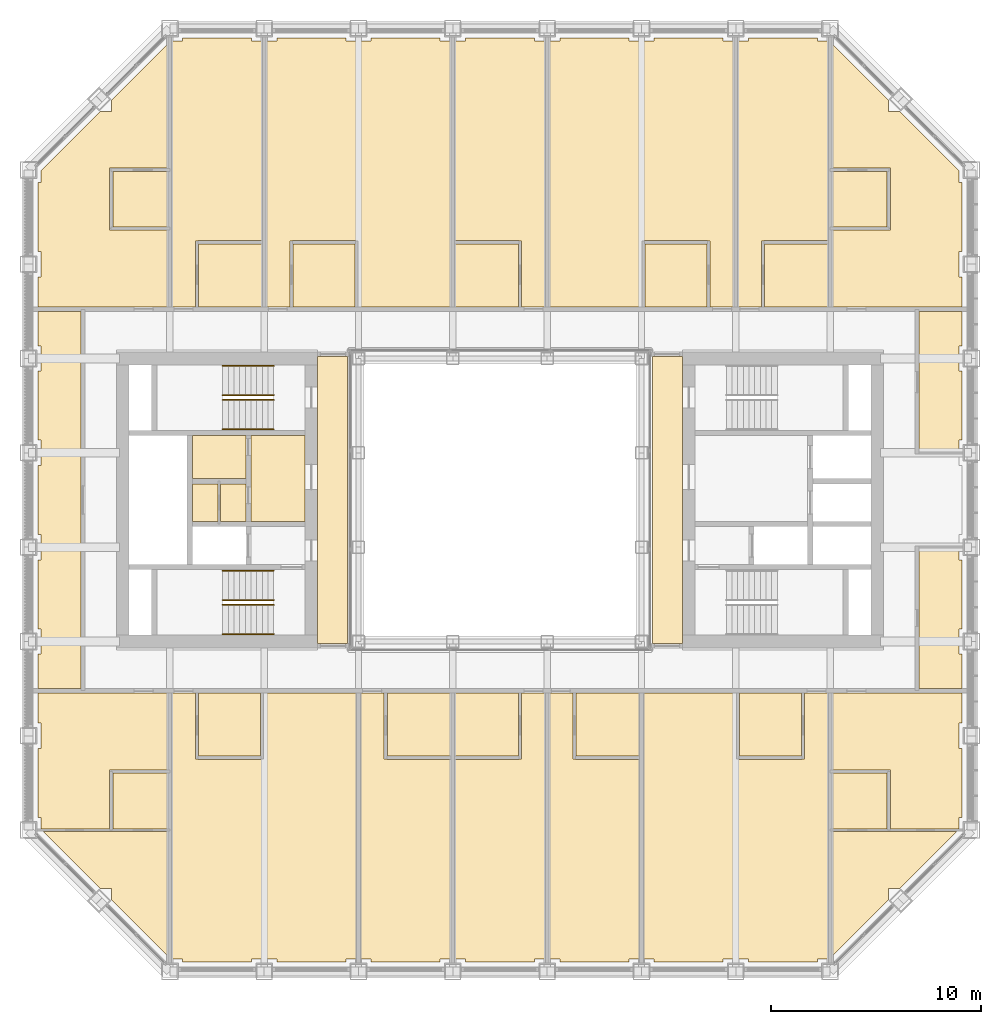
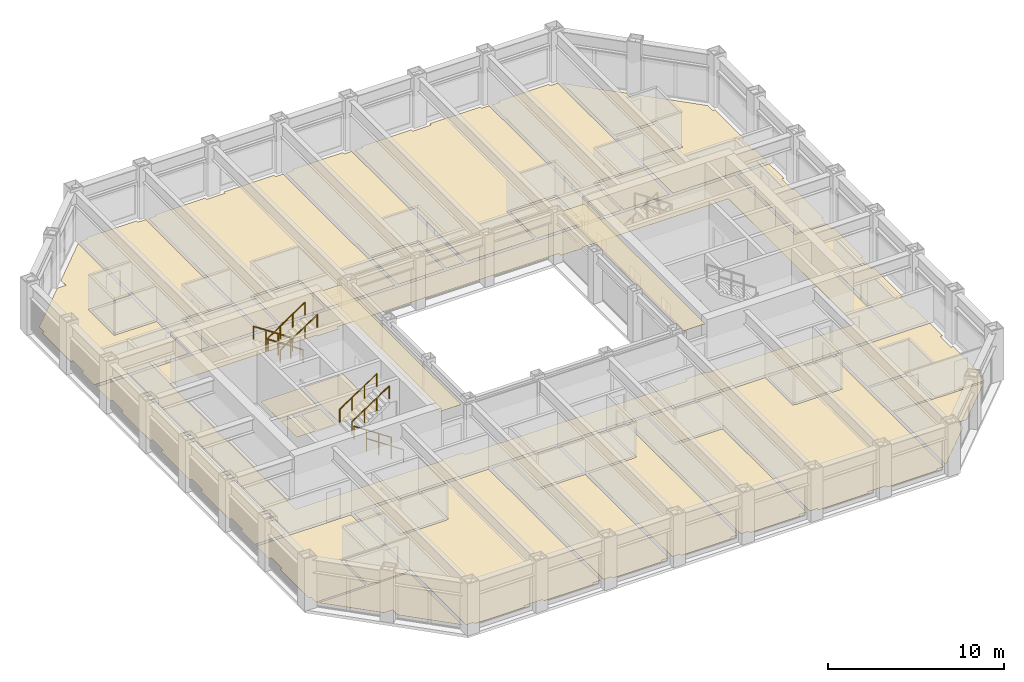
# One storey, part 15 of 17: 8 railings, 5 coverings.
"""IFC4 building model written with IfcOpenShell, lengths in metres."""

from ifc_helpers import new_model, si_unit, direction, frame, origin, origin_2d, place, context, subcontext, project, spatial, line, indexed_curve, circle, outline, extrude, material, layer, layer_set, type_object, element, save


model = new_model("IFC4")

# Units and contexts
model_context = context("Model", 3, precision=1e-05, world=origin(), true_north=direction((0.0, 1.0)))
body_context = subcontext(model_context, "Body", "Model", "MODEL_VIEW")
ifc_project = project(units=[si_unit("LENGTHUNIT", "METRE"), si_unit("AREAUNIT", "SQUARE_METRE"), si_unit("VOLUMEUNIT", "CUBIC_METRE"), si_unit("PLANEANGLEUNIT", "RADIAN"), si_unit("MASSUNIT", "GRAM", prefix="KILO")], contexts=[model_context])

# Site, building, storey
site_placement = place(None, origin())
site = spatial("IfcSite", under=ifc_project, at=site_placement, CompositionType="ELEMENT")
building_placement = place(site_placement, origin())
building = spatial("IfcBuilding", under=site, at=building_placement, Name="Msasa Ring Tower", CompositionType="ELEMENT")
storey_placement = place(building_placement, frame((0.0, 0.0, 158.0)))
storey = spatial("IfcBuildingStorey", under=building, at=storey_placement, Name="L41", CompositionType="ELEMENT", Elevation=158.0)

# Coverings
ifc_material_1 = material(Name="Gypsum plasterboard on a steel suspension grid", Category="steel")
ifc_layer_1 = layer(ifc_material_1, 0.014892578125)
ifc_layer_set_1 = layer_set([ifc_layer_1], Name="C1 SUSPENDED PLASTERBOARD CEILING 15")
covering_type_1 = type_object("IfcCoveringType", Name="C1 SUSPENDED PLASTERBOARD CEILING 15", PredefinedType="CEILING", material=ifc_layer_set_1)
covering_1_placement = place(storey_placement, frame((0.0, 0.0, 3.199951171875)))
element("IfcCovering", 1, at=covering_1_placement, inside=storey, type_object=covering_type_1, Name="Suspended Plasterboard Ceiling 15 public rooms L41", PredefinedType="CEILING", context=body_context, shape_type="SweptSolid", body=[
    extrude(outline(indexed_curve([(-7.280029296875, 6.849609375), (-7.280029296875, -6.849609375), (-8.699462890625, -6.849609375), (-8.699462890625, 6.849609375)], segments=[line(1, 2, 3, 4, 1)], self_intersect=False)), origin(), (0.0, 0.0, 1.0), 0.01513671875),
    extrude(outline(indexed_curve([(8.699462890625, 6.849609375), (8.699462890625, -6.849609375), (7.280029296875, -6.849609375), (7.280029296875, 6.849609375)], segments=[line(1, 2, 3, 4, 1)], self_intersect=False)), origin(), (0.0, 0.0, 1.0), 0.01513671875),
])
ifc_material_2 = material(Name="Wool-blend carpet on felt underlay", Category="textile")
ifc_layer_2 = layer(ifc_material_2, 0.011962890625)
ifc_layer_set_2 = layer_set([ifc_layer_2], Name="F2 CARPET ON UNDERLAY 12")
covering_type_2 = type_object("IfcCoveringType", Name="F2 CARPET ON UNDERLAY 12", PredefinedType="FLOORING", material=ifc_layer_set_2)
covering_2_placement = place(storey_placement, origin())
element("IfcCovering", 2, at=covering_2_placement, inside=storey, type_object=covering_type_2, Name="Carpet On Underlay 12 L41", PredefinedType="FLOORING", context=body_context, shape_type="SweptSolid", body=[
    extrude(outline(indexed_curve([(-22.049560546875, -11.8505859375), (-21.8994140625, -11.8505859375), (-21.8994140625, -10.6494140625), (-22.049560546875, -10.6494140625), (-22.049560546875, -9.200439453125), (-15.8505859375, -9.200439453125), (-15.8505859375, -12.869384765625), (-18.630615234375, -12.869384765625), (-18.630615234375, -15.694580078125), (-21.8994140625, -15.694580078125), (-21.8994140625, -15.1494140625), (-22.049560546875, -15.1494140625)], segments=[line(1, 2, 3, 4, 5, 6, 7, 8, 9, 10, 11, 12, 1)], self_intersect=False)), origin(), (0.0, 0.0, 1.0), 0.011962890625),
    extrude(outline(indexed_curve([(-18.5244140625, -19.08837890625), (-18.5244140625, -18.5244140625), (-19.08837890625, -18.5244140625), (-21.807373046875, -15.805419921875), (-15.8505859375, -15.805419921875), (-15.8505859375, -21.762451171875)], segments=[line(1, 2, 3, 4, 5, 6, 1)], self_intersect=False)), origin(), (0.0, 0.0, 1.0), 0.011962890625),
    extrude(outline(indexed_curve([(19.799560546875, -2.199951171875), (19.799560546875, -8.99951171875), (-19.799560546875, -8.99951171875), (-19.799560546875, 8.99951171875), (19.799560546875, 8.99951171875), (19.799560546875, 2.199462890625), (21.8994140625, 2.199462890625), (21.8994140625, 1.6494140625), (22.049560546875, 1.6494140625), (22.049560546875, -1.6494140625), (21.8994140625, -1.6494140625), (21.8994140625, -2.199462890625)], segments=[line(1, 2, 3, 4, 5, 6, 7, 8, 9, 10, 11, 12, 1)], self_intersect=False), holes=[indexed_curve([(18.300537109375, -7.150390625), (18.300537109375, 7.150390625), (8.699462890625, 7.150390625), (8.699462890625, 7.050537109375), (7.280029296875, 7.050537109375), (7.280517578125, 7.23046875), (7.22998046875, 7.23046875), (7.22998046875, 7.280029296875), (-7.22998046875, 7.280029296875), (-7.22998046875, 7.23046875), (-7.280517578125, 7.23046875), (-7.280029296875, 7.050537109375), (-8.699462890625, 7.050537109375), (-8.699462890625, 7.150390625), (-18.300537109375, 7.150390625), (-18.300537109375, -7.150390625), (-8.699462890625, -7.150390625), (-8.699462890625, -7.050537109375), (-7.280029296875, -7.050537109375), (-7.280517578125, -7.23046875), (-7.22998046875, -7.23046875), (-7.22998046875, -7.280029296875), (7.22998046875, -7.280029296875), (7.22998046875, -7.23046875), (7.280517578125, -7.23046875), (7.280029296875, -7.050537109375), (8.699462890625, -7.050537109375), (8.699462890625, -7.150390625)], segments=[line(1, 2, 3, 4, 5, 6, 7, 8, 9, 10, 11, 12, 13, 14, 15, 16, 17, 18, 19, 20, 21, 22, 23, 24, 25, 26, 27, 28, 1)], self_intersect=False)]), origin(), (0.0, 0.0, 1.0), 0.011962890625),
    extrude(outline(indexed_curve([(-15.6494140625, 9.200439453125), (-15.6494140625, 21.8994140625), (-15.1494140625, 21.8994140625), (-15.1494140625, 22.049560546875), (-11.8505859375, 22.049560546875), (-11.8505859375, 21.8994140625), (-11.3505859375, 21.8994140625), (-11.3505859375, 12.37548828125), (-14.39990234375, 12.37548828125), (-14.39990234375, 12.3505859375), (-14.525390625, 12.35009765625), (-14.525390625, 9.200439453125)], segments=[line(1, 2, 3, 4, 5, 6, 7, 8, 9, 10, 11, 12, 1)], self_intersect=False)), origin(), (0.0, 0.0, 1.0), 0.011962890625),
    extrude(outline(indexed_curve([(-14.674560546875, 0.7744140625), (-13.45556640625, 0.7744140625), (-13.45556640625, -1.0244140625), (-14.674560546875, -1.0244140625)], segments=[line(1, 2, 3, 4, 1)], self_intersect=False)), origin(), (0.0, 0.0, 1.0), 0.011962890625),
    extrude(outline(indexed_curve([(-6.6494140625, -9.200439453125), (-5.525390625, -9.200439453125), (-5.525390625, -12.35009765625), (-5.39990234375, -12.3505859375), (-5.39990234375, -12.37548828125), (-2.3505859375, -12.37548828125), (-2.3505859375, -21.8994140625), (-2.8505859375, -21.8994140625), (-2.8505859375, -22.049560546875), (-6.1494140625, -22.049560546875), (-6.1494140625, -21.8994140625), (-6.6494140625, -21.8994140625)], segments=[line(1, 2, 3, 4, 5, 6, 7, 8, 9, 10, 11, 12, 1)], self_intersect=False)), origin(), (0.0, 0.0, 1.0), 0.011962890625),
    extrude(outline(indexed_curve([(2.1494140625, -21.8994140625), (1.6494140625, -21.8994140625), (1.6494140625, -22.049560546875), (-1.6494140625, -22.049560546875), (-1.6494140625, -21.8994140625), (-2.1494140625, -21.8994140625), (-2.1494140625, -12.37548828125), (0.89990234375, -12.37548828125), (0.89990234375, -12.3505859375), (1.025390625, -12.35009765625), (1.025390625, -9.200439453125), (2.1494140625, -9.200439453125)], segments=[line(1, 2, 3, 4, 5, 6, 7, 8, 9, 10, 11, 12, 1)], self_intersect=False)), origin(), (0.0, 0.0, 1.0), 0.011962890625),
    extrude(outline(indexed_curve([(2.1494140625, 9.200439453125), (1.025390625, 9.200439453125), (1.025390625, 12.35009765625), (0.89990234375, 12.3505859375), (0.89990234375, 12.37548828125), (-2.1494140625, 12.37548828125), (-2.1494140625, 21.8994140625), (-1.6494140625, 21.8994140625), (-1.6494140625, 22.049560546875), (1.6494140625, 22.049560546875), (1.6494140625, 21.8994140625), (2.1494140625, 21.8994140625)], segments=[line(1, 2, 3, 4, 5, 6, 7, 8, 9, 10, 11, 12, 1)], self_intersect=False)), origin(), (0.0, 0.0, 1.0), 0.011962890625),
    extrude(outline(indexed_curve([(2.3505859375, -9.200439453125), (3.474609375, -9.200439453125), (3.474609375, -12.35009765625), (3.60009765625, -12.3505859375), (3.60009765625, -12.37548828125), (6.6494140625, -12.37548828125), (6.6494140625, -21.8994140625), (6.1494140625, -21.8994140625), (6.1494140625, -22.049560546875), (2.8505859375, -22.049560546875), (2.8505859375, -21.8994140625), (2.3505859375, -21.8994140625)], segments=[line(1, 2, 3, 4, 5, 6, 7, 8, 9, 10, 11, 12, 1)], self_intersect=False)), origin(), (0.0, 0.0, 1.0), 0.011962890625),
    extrude(outline(indexed_curve([(11.3505859375, 9.200439453125), (11.3505859375, 21.8994140625), (11.8505859375, 21.8994140625), (11.8505859375, 22.049560546875), (15.1494140625, 22.049560546875), (15.1494140625, 21.8994140625), (15.6494140625, 21.8994140625), (15.6494140625, 12.37548828125), (12.60009765625, 12.37548828125), (12.60009765625, 12.3505859375), (12.474609375, 12.35009765625), (12.474609375, 9.200439453125)], segments=[line(1, 2, 3, 4, 5, 6, 7, 8, 9, 10, 11, 12, 1)], self_intersect=False)), origin(), (0.0, 0.0, 1.0), 0.011962890625),
    extrude(outline(indexed_curve([(19.08837890625, -18.5244140625), (18.5244140625, -18.5244140625), (18.5244140625, -19.08837890625), (15.8505859375, -21.762451171875), (15.8505859375, -15.805419921875), (21.807373046875, -15.805419921875)], segments=[line(1, 2, 3, 4, 5, 6, 1)], self_intersect=False)), origin(), (0.0, 0.0, 1.0), 0.011962890625),
    extrude(outline(indexed_curve([(15.8505859375, -12.869384765625), (15.8505859375, -9.200439453125), (22.049560546875, -9.200439453125), (22.049560546875, -10.6494140625), (21.8994140625, -10.6494140625), (21.8994140625, -11.8505859375), (22.049560546875, -11.8505859375), (22.049560546875, -15.1494140625), (21.8994140625, -15.1494140625), (21.8994140625, -15.694580078125), (18.630615234375, -15.694580078125), (18.630615234375, -12.869384765625)], segments=[line(1, 2, 3, 4, 5, 6, 7, 8, 9, 10, 11, 12, 1)], self_intersect=False)), origin(), (0.0, 0.0, 1.0), 0.011962890625),
])
ifc_material_3 = material(Name="Engineered oak boards on an acoustic underlay", Category="wood")
ifc_layer_3 = layer(ifc_material_3, 0.01806640625)
ifc_layer_set_3 = layer_set([ifc_layer_3], Name="F3 ENGINEERED TIMBER ON ACOUSTIC UNDERLAY 18")
covering_type_3 = type_object("IfcCoveringType", Name="F3 ENGINEERED TIMBER ON ACOUSTIC UNDERLAY 18", PredefinedType="FLOORING", material=ifc_layer_set_3)
covering_3_placement = place(storey_placement, origin())
element("IfcCovering", 3, at=covering_3_placement, inside=storey, type_object=covering_type_3, Name="Engineered Timber On Acoustic Underlay 18 L41", PredefinedType="FLOORING", context=body_context, shape_type="SweptSolid", body=[
    extrude(outline(indexed_curve([(-18.630615234375, 12.869384765625), (-15.8505859375, 12.869384765625), (-15.8505859375, 9.200439453125), (-22.049560546875, 9.200439453125), (-22.049560546875, 10.6494140625), (-21.8994140625, 10.6494140625), (-21.8994140625, 11.8505859375), (-22.049560546875, 11.8505859375), (-22.049560546875, 15.1494140625), (-21.8994140625, 15.1494140625), (-21.8994140625, 15.71337890625), (-19.08837890625, 18.5244140625), (-18.5244140625, 18.5244140625), (-18.5244140625, 19.08837890625), (-15.8505859375, 21.762451171875), (-15.8505859375, 15.83056640625), (-18.630615234375, 15.83056640625)], segments=[line(1, 2, 3, 4, 5, 6, 7, 8, 9, 10, 11, 12, 13, 14, 15, 16, 17, 1)], self_intersect=False)), origin(), (0.0, 0.0, 1.0), 0.01806640625),
    extrude(outline(indexed_curve([(-14.525390625, -9.200439453125), (-14.525390625, -12.35009765625), (-14.39990234375, -12.3505859375), (-14.39990234375, -12.37548828125), (-11.39990234375, -12.37548828125), (-11.39990234375, -12.3505859375), (-11.2744140625, -12.35009765625), (-11.2744140625, -9.200439453125), (-6.8505859375, -9.200439453125), (-6.8505859375, -21.8994140625), (-7.3505859375, -21.8994140625), (-7.3505859375, -22.049560546875), (-10.6494140625, -22.049560546875), (-10.6494140625, -21.8994140625), (-11.8505859375, -21.8994140625), (-11.8505859375, -22.049560546875), (-15.1494140625, -22.049560546875), (-15.1494140625, -21.8994140625), (-15.6494140625, -21.8994140625), (-15.6494140625, -9.200439453125)], segments=[line(1, 2, 3, 4, 5, 6, 7, 8, 9, 10, 11, 12, 13, 14, 15, 16, 17, 18, 19, 20, 1)], self_intersect=False)), origin(), (0.0, 0.0, 1.0), 0.01806640625),
    extrude(outline(indexed_curve([(-6.89990234375, 12.3505859375), (-6.89990234375, 12.37548828125), (-9.89990234375, 12.37548828125), (-9.89990234375, 12.3505859375), (-10.025390625, 12.35009765625), (-10.025390625, 9.200439453125), (-11.1494140625, 9.200439453125), (-11.1494140625, 21.8994140625), (-10.6494140625, 21.8994140625), (-10.6494140625, 22.049560546875), (-7.3505859375, 22.049560546875), (-7.3505859375, 21.8994140625), (-6.1494140625, 21.8994140625), (-6.1494140625, 22.049560546875), (-2.8505859375, 22.049560546875), (-2.8505859375, 21.8994140625), (-2.3505859375, 21.8994140625), (-2.3505859375, 9.200439453125), (-6.7744140625, 9.200439453125), (-6.7744140625, 12.35009765625)], segments=[line(1, 2, 3, 4, 5, 6, 7, 8, 9, 10, 11, 12, 13, 14, 15, 16, 17, 18, 19, 20, 1)], self_intersect=False)), origin(), (0.0, 0.0, 1.0), 0.01806640625),
    extrude(outline(indexed_curve([(9.89990234375, 12.3505859375), (9.89990234375, 12.37548828125), (6.89990234375, 12.37548828125), (6.89990234375, 12.3505859375), (6.7744140625, 12.35009765625), (6.7744140625, 9.200439453125), (2.3505859375, 9.200439453125), (2.3505859375, 21.8994140625), (2.8505859375, 21.8994140625), (2.8505859375, 22.049560546875), (6.1494140625, 22.049560546875), (6.1494140625, 21.8994140625), (7.3505859375, 21.8994140625), (7.3505859375, 22.049560546875), (10.6494140625, 22.049560546875), (10.6494140625, 21.8994140625), (11.1494140625, 21.8994140625), (11.1494140625, 9.200439453125), (10.025390625, 9.200439453125), (10.025390625, 12.35009765625)], segments=[line(1, 2, 3, 4, 5, 6, 7, 8, 9, 10, 11, 12, 13, 14, 15, 16, 17, 18, 19, 20, 1)], self_intersect=False)), origin(), (0.0, 0.0, 1.0), 0.01806640625),
    extrude(outline(indexed_curve([(11.2744140625, -12.35009765625), (11.39990234375, -12.3505859375), (11.39990234375, -12.37548828125), (14.39990234375, -12.37548828125), (14.39990234375, -12.3505859375), (14.525390625, -12.35009765625), (14.525390625, -9.200439453125), (15.6494140625, -9.200439453125), (15.6494140625, -21.8994140625), (15.1494140625, -21.8994140625), (15.1494140625, -22.049560546875), (11.8505859375, -22.049560546875), (11.8505859375, -21.8994140625), (10.6494140625, -21.8994140625), (10.6494140625, -22.049560546875), (7.3505859375, -22.049560546875), (7.3505859375, -21.8994140625), (6.8505859375, -21.8994140625), (6.8505859375, -9.200439453125), (11.2744140625, -9.200439453125)], segments=[line(1, 2, 3, 4, 5, 6, 7, 8, 9, 10, 11, 12, 13, 14, 15, 16, 17, 18, 19, 20, 1)], self_intersect=False)), origin(), (0.0, 0.0, 1.0), 0.01806640625),
    extrude(outline(indexed_curve([(15.8505859375, 15.83056640625), (15.8505859375, 21.762451171875), (18.5244140625, 19.08837890625), (18.5244140625, 18.5244140625), (19.08837890625, 18.5244140625), (21.8994140625, 15.71337890625), (21.8994140625, 15.1494140625), (22.049560546875, 15.1494140625), (22.049560546875, 11.8505859375), (21.8994140625, 11.8505859375), (21.8994140625, 10.6494140625), (22.049560546875, 10.6494140625), (22.049560546875, 9.200439453125), (15.8505859375, 9.200439453125), (15.8505859375, 12.869384765625), (18.630615234375, 12.869384765625), (18.630615234375, 15.83056640625)], segments=[line(1, 2, 3, 4, 5, 6, 7, 8, 9, 10, 11, 12, 13, 14, 15, 16, 17, 1)], self_intersect=False)), origin(), (0.0, 0.0, 1.0), 0.01806640625),
])
ifc_material_4 = material(Name="Porcelain floor tiles in adhesive", Category="ceramic")
ifc_layer_4 = layer(ifc_material_4, 0.010009765625)
ifc_layer_set_4 = layer_set([ifc_layer_4], Name="F4 PORCELAIN TILE ON ADHESIVE 10")
covering_type_4 = type_object("IfcCoveringType", Name="F4 PORCELAIN TILE ON ADHESIVE 10", PredefinedType="FLOORING", material=ifc_layer_set_4)
covering_4_placement = place(storey_placement, origin())
element("IfcCovering", 4, at=covering_4_placement, inside=storey, type_object=covering_type_4, Name="Porcelain Tile On Adhesive 10 L41", PredefinedType="FLOORING", context=body_context, shape_type="SweptSolid", body=[
    extrude(outline(indexed_curve([(-18.469482421875, -13.030517578125), (-15.8505859375, -13.030517578125), (-15.8505859375, -15.694580078125), (-18.469482421875, -15.694580078125)], segments=[line(1, 2, 3, 4, 1)], self_intersect=False)), origin(), (0.0, 0.0, 1.0), 0.010009765625),
    extrude(outline(indexed_curve([(-15.8505859375, 15.66943359375), (-15.8505859375, 13.030517578125), (-18.469482421875, 13.030517578125), (-18.469482421875, 15.66943359375)], segments=[line(1, 2, 3, 4, 1)], self_intersect=False)), origin(), (0.0, 0.0, 1.0), 0.010009765625),
    extrude(outline(indexed_curve([(-11.425537109375, -9.200439453125), (-11.425537109375, -12.224609375), (-14.37451171875, -12.224609375), (-14.37451171875, -9.200439453125)], segments=[line(1, 2, 3, 4, 1)], self_intersect=False)), origin(), (0.0, 0.0, 1.0), 0.010009765625),
    extrude(outline(indexed_curve([(-11.3505859375, 9.200439453125), (-14.37451171875, 9.200439453125), (-14.37451171875, 12.224609375), (-11.3505859375, 12.224609375)], segments=[line(1, 2, 3, 4, 1)], self_intersect=False)), origin(), (0.0, 0.0, 1.0), 0.010009765625),
    extrude(outline(indexed_curve([(-9.87451171875, 9.200439453125), (-9.87451171875, 12.224609375), (-6.925537109375, 12.224609375), (-6.925537109375, 9.200439453125)], segments=[line(1, 2, 3, 4, 1)], self_intersect=False)), origin(), (0.0, 0.0, 1.0), 0.010009765625),
    extrude(outline(indexed_curve([(-2.3505859375, -9.200439453125), (-2.3505859375, -12.224609375), (-5.37451171875, -12.224609375), (-5.37451171875, -9.200439453125)], segments=[line(1, 2, 3, 4, 1)], self_intersect=False)), origin(), (0.0, 0.0, 1.0), 0.010009765625),
    extrude(outline(indexed_curve([(0.87451171875, -9.200439453125), (0.87451171875, -12.224609375), (-2.1494140625, -12.224609375), (-2.1494140625, -9.200439453125)], segments=[line(1, 2, 3, 4, 1)], self_intersect=False)), origin(), (0.0, 0.0, 1.0), 0.010009765625),
    extrude(outline(indexed_curve([(-2.1494140625, 9.200439453125), (-2.1494140625, 12.224609375), (0.87451171875, 12.224609375), (0.87451171875, 9.200439453125)], segments=[line(1, 2, 3, 4, 1)], self_intersect=False)), origin(), (0.0, 0.0, 1.0), 0.010009765625),
    extrude(outline(indexed_curve([(6.6494140625, -9.200439453125), (6.6494140625, -12.224609375), (3.62548828125, -12.224609375), (3.62548828125, -9.200439453125)], segments=[line(1, 2, 3, 4, 1)], self_intersect=False)), origin(), (0.0, 0.0, 1.0), 0.010009765625),
    extrude(outline(indexed_curve([(6.925537109375, 9.200439453125), (6.925537109375, 12.224609375), (9.87451171875, 12.224609375), (9.87451171875, 9.200439453125)], segments=[line(1, 2, 3, 4, 1)], self_intersect=False)), origin(), (0.0, 0.0, 1.0), 0.010009765625),
    extrude(outline(indexed_curve([(14.37451171875, -9.200439453125), (14.37451171875, -12.224609375), (11.425537109375, -12.224609375), (11.425537109375, -9.200439453125)], segments=[line(1, 2, 3, 4, 1)], self_intersect=False)), origin(), (0.0, 0.0, 1.0), 0.010009765625),
    extrude(outline(indexed_curve([(15.6494140625, 9.200439453125), (12.62548828125, 9.200439453125), (12.62548828125, 12.224609375), (15.6494140625, 12.224609375)], segments=[line(1, 2, 3, 4, 1)], self_intersect=False)), origin(), (0.0, 0.0, 1.0), 0.010009765625),
    extrude(outline(indexed_curve([(15.8505859375, -13.030517578125), (18.469482421875, -13.030517578125), (18.469482421875, -15.694580078125), (15.8505859375, -15.694580078125)], segments=[line(1, 2, 3, 4, 1)], self_intersect=False)), origin(), (0.0, 0.0, 1.0), 0.010009765625),
    extrude(outline(indexed_curve([(18.469482421875, 15.66943359375), (18.469482421875, 13.030517578125), (15.8505859375, 13.030517578125), (15.8505859375, 15.66943359375)], segments=[line(1, 2, 3, 4, 1)], self_intersect=False)), origin(), (0.0, 0.0, 1.0), 0.010009765625),
])
ifc_material_5 = material(Name="Welded vinyl safety sheet flooring", Category="vinyl")
ifc_layer_5 = layer(ifc_material_5, 0.0029296875)
ifc_layer_set_5 = layer_set([ifc_layer_5], Name="F5 RESILIENT SHEET FLOORING 3")
covering_type_5 = type_object("IfcCoveringType", Name="F5 RESILIENT SHEET FLOORING 3", PredefinedType="FLOORING", material=ifc_layer_set_5)
covering_5_placement = place(storey_placement, origin())
element("IfcCovering", 5, at=covering_5_placement, inside=storey, type_object=covering_type_5, Name="Resilient Sheet Flooring 3 L41", PredefinedType="FLOORING", context=body_context, shape_type="SweptSolid", body=[
    extrude(outline(indexed_curve([(-20.00048828125, -8.99951171875), (-22.049560546875, -8.99951171875), (-22.049560546875, -7.3505859375), (-21.8994140625, -7.3505859375), (-21.8994140625, -6.1494140625), (-22.049560546875, -6.1494140625), (-22.049560546875, -2.8505859375), (-21.8994140625, -2.8505859375), (-21.8994140625, -1.6494140625), (-22.049560546875, -1.6494140625), (-22.049560546875, 1.6494140625), (-21.8994140625, 1.6494140625), (-21.8994140625, 2.8505859375), (-22.049560546875, 2.8505859375), (-22.049560546875, 6.1494140625), (-21.8994140625, 6.1494140625), (-21.8994140625, 7.3505859375), (-22.049560546875, 7.3505859375), (-22.049560546875, 8.99951171875), (-20.00048828125, 8.99951171875)], segments=[line(1, 2, 3, 4, 5, 6, 7, 8, 9, 10, 11, 12, 13, 14, 15, 16, 17, 18, 19, 20, 1)], self_intersect=False)), origin(), (0.0, 0.0, 1.0), 0.0029296875),
    extrude(outline(indexed_curve([(-14.674560546875, 3.074462890625), (-12.12548828125, 3.074462890625), (-12.12548828125, 1.025390625), (-14.674560546875, 1.025390625)], segments=[line(1, 2, 3, 4, 1)], self_intersect=False)), origin(), (0.0, 0.0, 1.0), 0.0029296875),
    extrude(outline(indexed_curve([(-13.344482421875, 0.7744140625), (-12.12548828125, 0.7744140625), (-12.12548828125, -1.0244140625), (-13.344482421875, -1.0244140625)], segments=[line(1, 2, 3, 4, 1)], self_intersect=False)), origin(), (0.0, 0.0, 1.0), 0.0029296875),
    extrude(outline(indexed_curve([(-11.87451171875, -1.0244140625), (-11.87451171875, 3.074462890625), (-9.300537109375, 3.074462890625), (-9.300537109375, -1.0244140625)], segments=[line(1, 2, 3, 4, 1)], self_intersect=False)), origin(), (0.0, 0.0, 1.0), 0.0029296875),
    extrude(outline(indexed_curve([(22.049560546875, -6.1494140625), (21.8994140625, -6.1494140625), (21.8994140625, -7.3505859375), (22.049560546875, -7.3505859375), (22.049560546875, -8.99951171875), (20.00048828125, -8.99951171875), (20.00048828125, -2.305419921875), (21.8994140625, -2.305419921875), (21.8994140625, -2.8505859375), (22.049560546875, -2.8505859375)], segments=[line(1, 2, 3, 4, 5, 6, 7, 8, 9, 10, 1)], self_intersect=False)), origin(), (0.0, 0.0, 1.0), 0.0029296875),
    extrude(outline(indexed_curve([(20.00048828125, 2.305419921875), (20.00048828125, 8.99951171875), (22.049560546875, 8.99951171875), (22.049560546875, 7.3505859375), (21.8994140625, 7.3505859375), (21.8994140625, 6.1494140625), (22.049560546875, 6.1494140625), (22.049560546875, 2.8505859375), (21.8994140625, 2.8505859375), (21.8994140625, 2.305419921875)], segments=[line(1, 2, 3, 4, 5, 6, 7, 8, 9, 10, 1)], self_intersect=False)), origin(), (0.0, 0.0, 1.0), 0.0029296875),
])

# Railings
ifc_material_6 = material(Name="Stainless steel", Category="steel")
railing_type = type_object("IfcRailingType", Name="HR1 HANDRAIL 900", PredefinedType="HANDRAIL", material=ifc_material_6)
for number, where, name in (
    (6, (-10.800048828125, -6.39990234375, 0.179931640625), "Handrail stair SWA L41 1"),
    (7, (-10.800048828125, -5.0, 0.179931640625), "Handrail stair SWA L41 2"),
):
    element("IfcRailing", number, at=place(storey_placement, frame(where)), inside=storey, type_object=railing_type, Name=name, PredefinedType="HANDRAIL", context=body_context, shape_type="SweptSolid", body=[
        extrude(circle(Radius=0.02392578125, at=origin_2d()), frame((0.0, 0.0, 0.8759765625), z_axis=(-0.832024571796, 0.0, 0.554738778101), x_axis=(0.0, -1.0, 0.0)), (0.0, 0.0, 1.0), 2.92041015625),
        extrude(circle(Radius=0.02099609375, at=origin_2d()), origin(), (0.0, 0.0, 1.0), 0.851806640625),
        extrude(circle(Radius=0.02099609375, at=origin_2d()), frame((-0.81005859375, 0.0, 0.5400390625)), (0.0, 0.0, 1.0), 0.851806640625),
        extrude(circle(Radius=0.02099609375, at=origin_2d()), frame((-1.619873046875, 0.0, 1.080078125)), (0.0, 0.0, 1.0), 0.851806640625),
        extrude(circle(Radius=0.02099609375, at=origin_2d()), frame((-2.429931640625, 0.0, 1.6201171875)), (0.0, 0.0, 1.0), 0.851806640625),
    ])
for number, where, name in (
    (8, (-13.22998046875, -4.77490234375, 1.97998046875), "Handrail stair SWA L41 3"),
    (9, (-13.22998046875, -3.375, 1.97998046875), "Handrail stair SWA L41 4"),
):
    element("IfcRailing", number, at=place(storey_placement, frame(where)), inside=storey, type_object=railing_type, Name=name, PredefinedType="HANDRAIL", context=body_context, shape_type="SweptSolid", body=[
        extrude(circle(Radius=0.02392578125, at=origin_2d()), frame((0.0, 0.0, 0.8759765625), z_axis=(0.832024571796, 0.0, 0.554738778101), x_axis=(0.0, 1.0, 0.0)), (0.0, 0.0, 1.0), 2.92041015625),
        extrude(circle(Radius=0.02099609375, at=origin_2d()), origin(), (0.0, 0.0, 1.0), 0.851806640625),
        extrude(circle(Radius=0.02099609375, at=origin_2d()), frame((0.81005859375, 0.0, 0.5400390625)), (0.0, 0.0, 1.0), 0.851806640625),
        extrude(circle(Radius=0.02099609375, at=origin_2d()), frame((1.619873046875, 0.0, 1.080078125)), (0.0, 0.0, 1.0), 0.851806640625),
        extrude(circle(Radius=0.02099609375, at=origin_2d()), frame((2.429931640625, 0.0, 1.6201171875)), (0.0, 0.0, 1.0), 0.851806640625),
    ])
for number, where, name in (
    (10, (-10.800048828125, 5.0, 0.179931640625), "Handrail stair SWB L41 1"),
    (11, (-10.800048828125, 6.39990234375, 0.179931640625), "Handrail stair SWB L41 2"),
):
    element("IfcRailing", number, at=place(storey_placement, frame(where)), inside=storey, type_object=railing_type, Name=name, PredefinedType="HANDRAIL", context=body_context, shape_type="SweptSolid", body=[
        extrude(circle(Radius=0.02392578125, at=origin_2d()), frame((0.0, 0.0, 0.8759765625), z_axis=(-0.832024571796, 0.0, 0.554738778101), x_axis=(0.0, -1.0, 0.0)), (0.0, 0.0, 1.0), 2.92041015625),
        extrude(circle(Radius=0.02099609375, at=origin_2d()), origin(), (0.0, 0.0, 1.0), 0.851806640625),
        extrude(circle(Radius=0.02099609375, at=origin_2d()), frame((-0.81005859375, 0.0, 0.5400390625)), (0.0, 0.0, 1.0), 0.851806640625),
        extrude(circle(Radius=0.02099609375, at=origin_2d()), frame((-1.619873046875, 0.0, 1.080078125)), (0.0, 0.0, 1.0), 0.851806640625),
        extrude(circle(Radius=0.02099609375, at=origin_2d()), frame((-2.429931640625, 0.0, 1.6201171875)), (0.0, 0.0, 1.0), 0.851806640625),
    ])
for number, where, name in (
    (12, (-13.22998046875, 3.375, 1.97998046875), "Handrail stair SWB L41 3"),
    (13, (-13.22998046875, 4.77490234375, 1.97998046875), "Handrail stair SWB L41 4"),
):
    element("IfcRailing", number, at=place(storey_placement, frame(where)), inside=storey, type_object=railing_type, Name=name, PredefinedType="HANDRAIL", context=body_context, shape_type="SweptSolid", body=[
        extrude(circle(Radius=0.02392578125, at=origin_2d()), frame((0.0, 0.0, 0.8759765625), z_axis=(0.832024571796, 0.0, 0.554738778101), x_axis=(0.0, 1.0, 0.0)), (0.0, 0.0, 1.0), 2.92041015625),
        extrude(circle(Radius=0.02099609375, at=origin_2d()), origin(), (0.0, 0.0, 1.0), 0.851806640625),
        extrude(circle(Radius=0.02099609375, at=origin_2d()), frame((0.81005859375, 0.0, 0.5400390625)), (0.0, 0.0, 1.0), 0.851806640625),
        extrude(circle(Radius=0.02099609375, at=origin_2d()), frame((1.619873046875, 0.0, 1.080078125)), (0.0, 0.0, 1.0), 0.851806640625),
        extrude(circle(Radius=0.02099609375, at=origin_2d()), frame((2.429931640625, 0.0, 1.6201171875)), (0.0, 0.0, 1.0), 0.851806640625),
    ])

save(model, "model.ifc")
